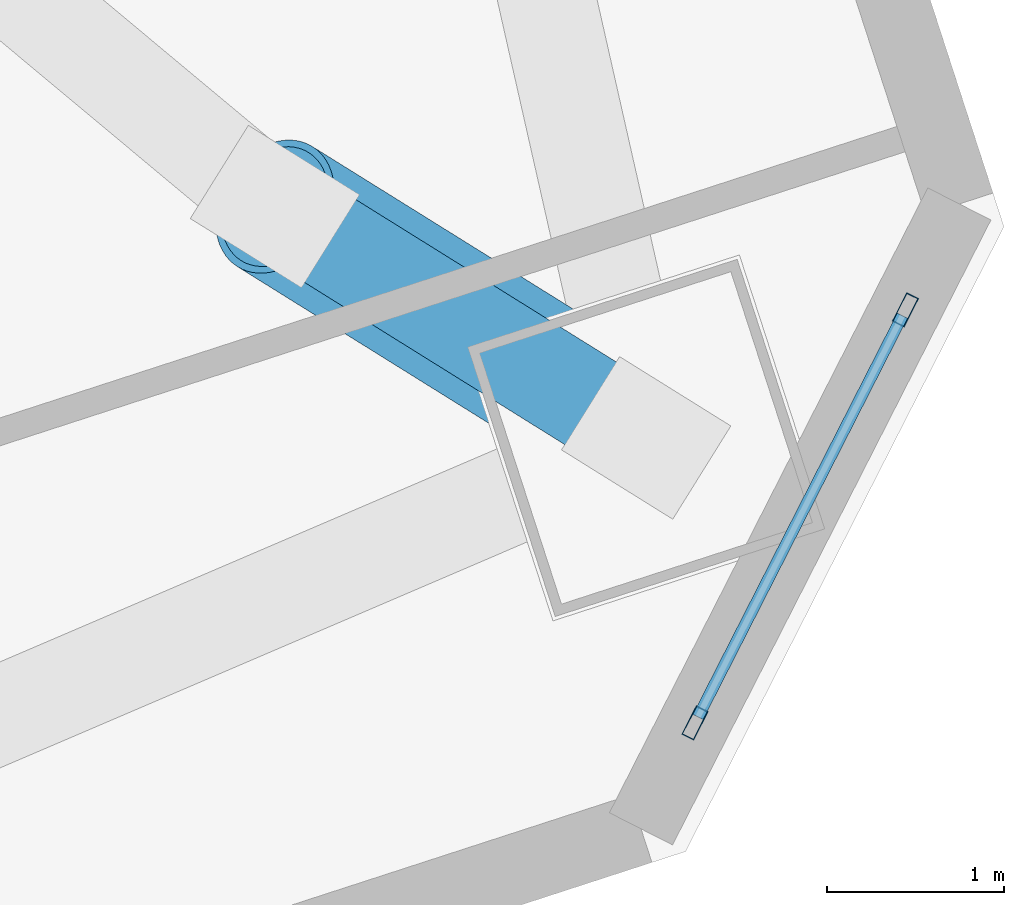
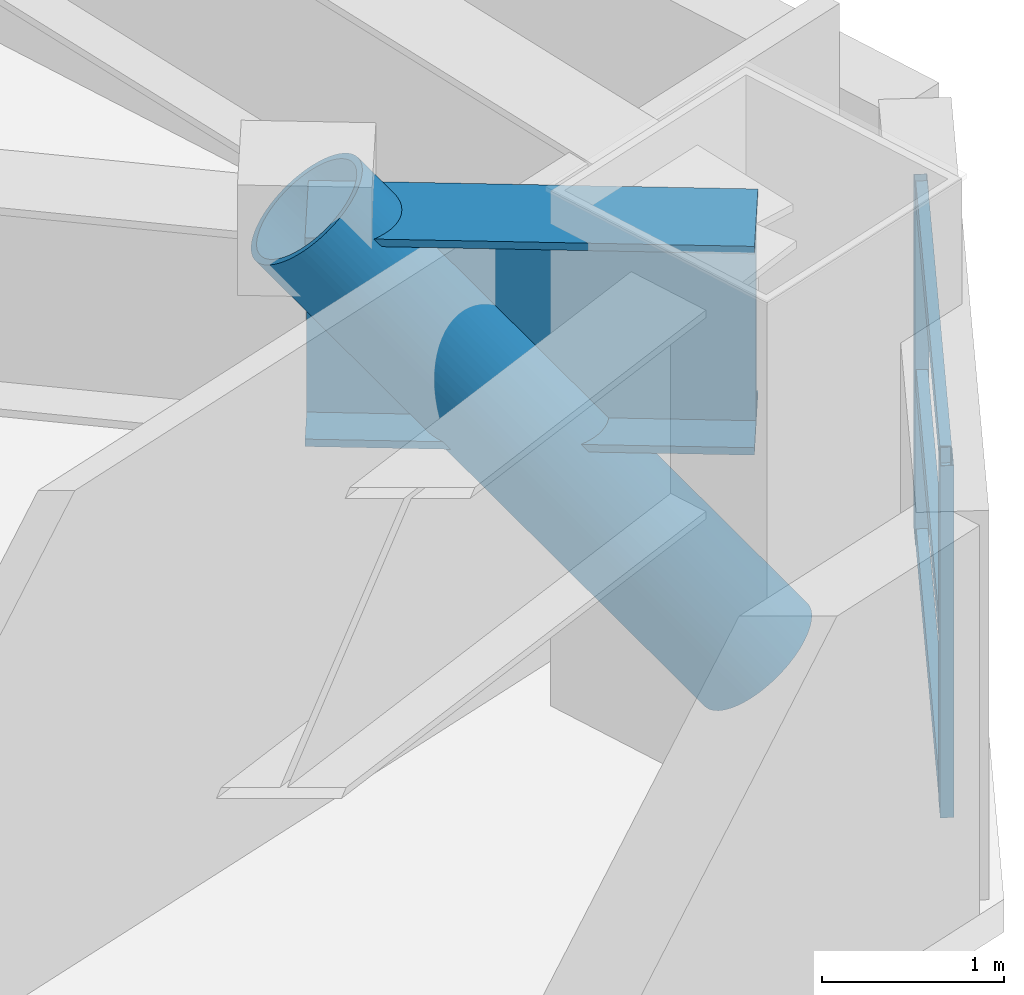
# One storey, part 8 of 18: 6 members, 1 beam, 1 element without a shape of its own.
"""IFC4 building model written with IfcOpenShell, lengths in metres."""

from ifc_helpers import new_model, si_unit, direction, frame, origin, origin_2d, place, context, subcontext, project, spatial, hollow_rectangle, hollow_circle, i_section, extrude, material, layer, layer_set, material_profile, profile_set, type_object, element, aggregate, save


model = new_model("IFC4")

# Units and contexts
model_context = context("Model", 3, precision=1e-05, world=origin(), true_north=direction((0.0, 1.0)))
body_context = subcontext(model_context, "Body", "Model", "MODEL_VIEW")
ifc_project = project(units=[si_unit("LENGTHUNIT", "METRE"), si_unit("AREAUNIT", "SQUARE_METRE"), si_unit("VOLUMEUNIT", "CUBIC_METRE"), si_unit("PLANEANGLEUNIT", "RADIAN"), si_unit("MASSUNIT", "GRAM", prefix="KILO")], contexts=[model_context])

# Site, building, storey
site_placement = place(None, origin())
site = spatial("IfcSite", under=ifc_project, at=site_placement, CompositionType="ELEMENT")
building_placement = place(site_placement, origin())
building = spatial("IfcBuilding", under=site, at=building_placement, Name="Qiaolan Cultural Towers", CompositionType="ELEMENT")
storey_placement = place(building_placement, frame((0.0, 0.0, 74.75)))
storey = spatial("IfcBuildingStorey", under=building, at=storey_placement, Name="L18", CompositionType="ELEMENT", Elevation=74.75)

# Beam
ifc_material_1 = material(Name="Steel Q420GJB", Category="steel")
ifc_material_profile_1 = material_profile(ifc_material_1, i_section(OverallWidth=0.550048828125, OverallDepth=1.39990234375, WebThickness=0.031982421875, FlangeThickness=0.050048828125, at=origin_2d()), Name="BH1400x550x32x50")
ifc_profile_set_1 = profile_set([ifc_material_profile_1], Name="Steel Q420GJB")
beam_type = type_object("IfcBeamType", Name="BM-BH1400x550x32x50", PredefinedType="BEAM", material=ifc_profile_set_1)
beam_placement = place(storey_placement, frame((114.027099609375, 14.77392578125, 2.530029296875), z_axis=(-0.848719449852, 0.528843356244, 0.0), x_axis=(-0.528843356244, -0.848719449852, 0.0)))
element("IfcBeam", 1, at=beam_placement, inside=storey, type_object=beam_type, Name="L18 T2 Setback Transfer Girder MC-SE-A", PredefinedType="BEAM", context=body_context, shape_type="SweptSolid", body=[
    extrude(i_section(OverallWidth=0.550048828125, OverallDepth=1.39990234375, WebThickness=0.031982421875, FlangeThickness=0.050048828125, at=origin_2d()), origin(), (0.0, 0.0, 1.0), 2.4697265625),
])

# Curtain wall, members
ifc_material_2 = material(Name="Unitized Anodized Aluminium Curtain Wall System", Category="aluminium")
ifc_layer = layer(ifc_material_2, 0.199951171875)
ifc_layer_set = layer_set([ifc_layer], Name="Unitized Anodized Aluminium Curtain Wall System")
curtain_wall_type = type_object("IfcCurtainWallType", Name="CWS-02", PredefinedType="NOTDEFINED", material=ifc_layer_set)
curtain_wall_placement = place(storey_placement, origin())
curtain_wall = element("IfcCurtainWall", 2, at=curtain_wall_placement, inside=storey, type_object=curtain_wall_type, Name="L18 T2 Chamfer Wind-Corner Feature Curtain Wall 2", PredefinedType="NOTDEFINED")
ifc_material_3 = material(Name="Extruded Aluminium 6063-T6", Category="aluminium")
ifc_material_profile_2 = material_profile(ifc_material_3, hollow_rectangle(XDim=0.074951171875, YDim=0.179931640625, WallThickness=0.00390625, at=origin_2d()), Name="CWM-180x75x4")
ifc_profile_set_2 = profile_set([ifc_material_profile_2], Name="Extruded Aluminium 6063-T6")
member_type_1 = type_object("IfcMemberType", Name="CWS-02-MUL", PredefinedType="MULLION", material=ifc_profile_set_2)
member_1_placement = place(storey_placement, frame((115.49072265625, 15.4970703125, 0.14990234375), z_axis=(0.0, 0.0, 1.0), x_axis=(0.89100656444, -0.45399042074, 0.0)))
member_1 = element("IfcMember", 3, at=member_1_placement, type_object=member_type_1, Name="CW-2 mullion 1", PredefinedType="MULLION", context=body_context, shape_type="SweptSolid", body=[
    extrude(hollow_rectangle(XDim=0.074951171875, YDim=0.179931640625, WallThickness=0.00390625, at=origin_2d()), origin(), (0.0, 0.0, 1.0), 2.360107421875),
])
member_2_placement = place(storey_placement, frame((114.302490234375, 13.16455078125, 0.14990234375), z_axis=(0.0, 0.0, 1.0), x_axis=(0.89100656444, -0.45399042074, 0.0)))
member_2 = element("IfcMember", 4, at=member_2_placement, type_object=member_type_1, Name="CW-2 mullion 2", PredefinedType="MULLION", context=body_context, shape_type="SweptSolid", body=[
    extrude(hollow_rectangle(XDim=0.074951171875, YDim=0.179931640625, WallThickness=0.00390625, at=origin_2d()), origin(), (0.0, 0.0, 1.0), 2.360107421875),
])
ifc_material_4 = material(Name="Extruded Aluminium 6063-T6", Category="aluminium")
ifc_material_profile_3 = material_profile(ifc_material_4, hollow_rectangle(XDim=0.06494140625, YDim=0.14990234375, WallThickness=0.00390625, at=origin_2d()), Name="CWT-150x65x4")
ifc_profile_set_3 = profile_set([ifc_material_profile_3], Name="Extruded Aluminium 6063-T6")
member_type_2 = type_object("IfcMemberType", Name="CWS-02-TRN", PredefinedType="USERDEFINED", material=ifc_profile_set_3)
member_3_placement = place(storey_placement, frame((115.473876953125, 15.463623046875, 0.1826171875), z_axis=(-0.453960300991, -0.891021910575, 0.0), x_axis=(0.891021910575, -0.453960300991, 0.0)))
member_3 = element("IfcMember", 5, at=member_3_placement, type_object=member_type_2, Name="CW-2 transom 1.1", ObjectType="TRANSOM", PredefinedType="USERDEFINED", context=body_context, shape_type="SweptSolid", body=[
    extrude(hollow_rectangle(XDim=0.06494140625, YDim=0.14990234375, WallThickness=0.00390625, at=origin_2d()), origin(), (0.0, 0.0, 1.0), 2.542724609375),
])
member_4_placement = place(storey_placement, frame((115.473876953125, 15.463623046875, 1.25), z_axis=(-0.453960300991, -0.891021910575, 0.0), x_axis=(0.891021910575, -0.453960300991, 0.0)))
member_4 = element("IfcMember", 6, at=member_4_placement, type_object=member_type_2, Name="CW-2 transom 1.2", ObjectType="TRANSOM", PredefinedType="USERDEFINED", context=body_context, shape_type="SweptSolid", body=[
    extrude(hollow_rectangle(XDim=0.06494140625, YDim=0.14990234375, WallThickness=0.00390625, at=origin_2d()), origin(), (0.0, 0.0, 1.0), 2.542724609375),
])
member_5_placement = place(storey_placement, frame((115.473876953125, 15.463623046875, 2.4775390625), z_axis=(-0.453960300991, -0.891021910575, 0.0), x_axis=(0.891021910575, -0.453960300991, 0.0)))
member_5 = element("IfcMember", 7, at=member_5_placement, type_object=member_type_2, Name="CW-2 transom 1.3", ObjectType="TRANSOM", PredefinedType="USERDEFINED", context=body_context, shape_type="SweptSolid", body=[
    extrude(hollow_rectangle(XDim=0.06494140625, YDim=0.14990234375, WallThickness=0.00390625, at=origin_2d()), origin(), (0.0, 0.0, 1.0), 2.542724609375),
])
aggregate(curtain_wall, [member_1, member_2, member_3, member_4, member_5])

# Member
ifc_material_5 = material(Name="Steel Q390GJB", Category="steel")
ifc_material_profile_4 = material_profile(ifc_material_5, hollow_circle(Radius=0.39990234375, WallThickness=0.0400390625, at=origin_2d()), Name="CHS800x40")
ifc_profile_set_4 = profile_set([ifc_material_profile_4], Name="Steel Q390GJB")
member_type_3 = type_object("IfcMemberType", Name="MBR-BRC-CHS800x40", PredefinedType="BRACE", material=ifc_profile_set_4)
member_6_placement = place(storey_placement, frame((114.027099609375, 14.77392578125, 0.300048828125), z_axis=(-0.547016704453, 0.340850147778, 0.764587406259), x_axis=(-0.528843356244, -0.848719449852, 0.0)))
element("IfcMember", 8, at=member_6_placement, inside=storey, type_object=member_type_3, Name="L18 T2 Setback Transfer Raker Strut MC-SE", PredefinedType="BRACE", context=body_context, shape_type="SweptSolid", body=[
    extrude(hollow_circle(Radius=0.39990234375, WallThickness=0.0400390625, at=origin_2d()), origin(), (0.0, 0.0, 1.0), 3.83203125),
])

save(model, "model.ifc")
